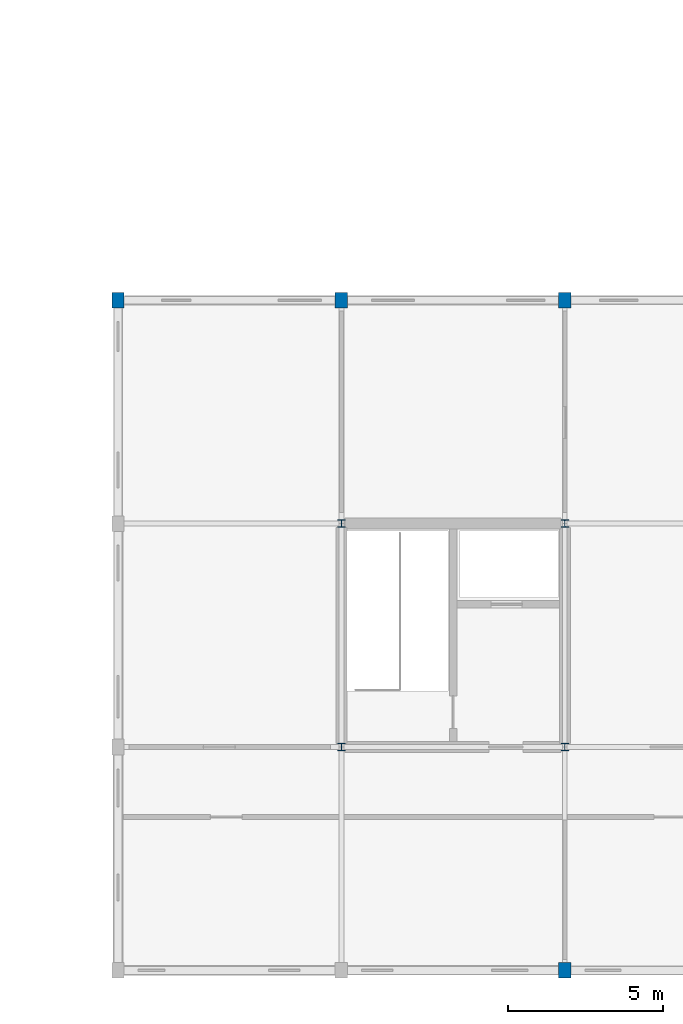
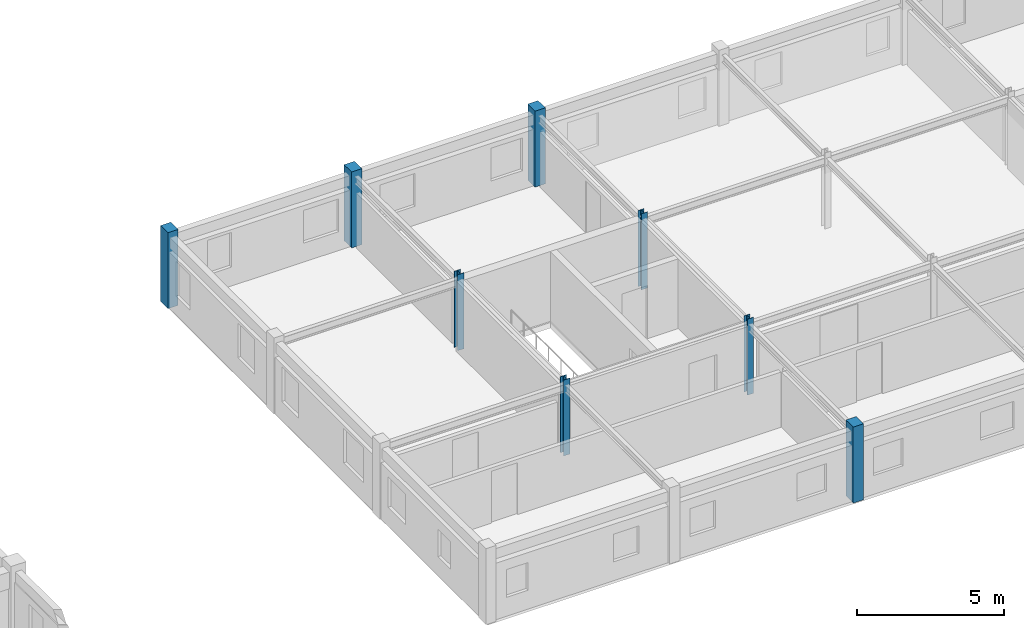
# One storey, part 2 of 50: 8 columns.
"""IFC4 building model written with IfcOpenShell, lengths in metres."""

from ifc_helpers import new_model, si_unit, direction, frame, origin, origin_2d, place, context, subcontext, project, spatial, rectangle, i_section, extrude, material, material_profile, profile_set, type_object, element, save


model = new_model("IFC4")

# Units and contexts
model_context = context("Model", 3, precision=1e-05, world=origin(), true_north=direction((0.0, 1.0)))
body_context = subcontext(model_context, "Body", "Model", "MODEL_VIEW")
ifc_project = project(units=[si_unit("LENGTHUNIT", "METRE"), si_unit("AREAUNIT", "SQUARE_METRE"), si_unit("VOLUMEUNIT", "CUBIC_METRE"), si_unit("PLANEANGLEUNIT", "RADIAN"), si_unit("MASSUNIT", "GRAM", prefix="KILO"), si_unit("THERMODYNAMICTEMPERATUREUNIT", "KELVIN"), si_unit("POWERUNIT", "WATT")], contexts=[model_context])

# Site, building, storey
site_placement = place(None, origin())
site = spatial("IfcSite", under=ifc_project, at=site_placement, CompositionType="ELEMENT")
building_placement = place(site_placement, origin())
building = spatial("IfcBuilding", under=site, at=building_placement, Name="Tavuni Mirador Residences", CompositionType="ELEMENT")
storey_placement = place(building_placement, frame((0.0, 0.0, 4.5)))
storey = spatial("IfcBuildingStorey", under=building, at=storey_placement, Name="L01", CompositionType="ELEMENT", Elevation=4.5)

# Columns
ifc_material_1 = material(Name="Precast concrete C40/50", Category="concrete")
ifc_material_profile_1 = material_profile(ifc_material_1, rectangle(XDim=0.39990234375, YDim=0.5, at=origin_2d()), Name="PC 400x500", Category="concrete")
ifc_profile_set_1 = profile_set([ifc_material_profile_1], Name="Precast concrete C40/50")
column_type_1 = type_object("IfcColumnType", Name="CT-PC400X500", PredefinedType="COLUMN", material=ifc_profile_set_1)
for number, where, z_axis, x_axis, name in (
    (1, (46.800048828125, 28.800048828125, 0.0), (0.0, 0.0, 1.0), (1.0, 0.0, 0.0), "COL-PAV-SHOP-L01-00-03"),
    (2, (54.0, 28.800048828125, 0.0), (0.0, 0.0, 1.0), (1.0, 0.0, 0.0), "COL-PAV-SHOP-L01-01-03"),
    (3, (61.199951171875, 7.199951171875, 0.0), (0.0, 0.0, 1.0), (1.0, 0.0, 0.0), "COL-PAV-SHOP-L01-02-00"),
    (4, (61.199951171875, 28.800048828125, 0.0), (0.0, 0.0, 1.0), (1.0, 0.0, 0.0), "COL-PAV-SHOP-L01-02-03"),
):
    element("IfcColumn", number, at=place(storey_placement, frame(where, z_axis=z_axis, x_axis=x_axis)), inside=storey, type_object=column_type_1, Name=name, PredefinedType="COLUMN", context=body_context, shape_type="SweptSolid", body=[
        extrude(rectangle(XDim=0.39990234375, YDim=0.5, at=origin_2d()), origin(), (0.0, 0.0, 1.0), 3.14990234375),
    ])
ifc_material_2 = material(Name="Structural steel S355", Category="steel")
ifc_material_profile_2 = material_profile(ifc_material_2, i_section(OverallWidth=0.239990234375, OverallDepth=0.239990234375, WebThickness=0.010009765625, FlangeThickness=0.01708984375, FilletRadius=0.02099609375, at=origin_2d()), Name="HEB 240", Category="steel")
ifc_profile_set_2 = profile_set([ifc_material_profile_2], Name="Structural steel S355")
column_type_2 = type_object("IfcColumnType", Name="CT-ST-HEB240", PredefinedType="COLUMN", material=ifc_profile_set_2)
for number, where, z_axis, x_axis, name in (
    (5, (54.0, 14.39990234375, 0.0), (0.0, 0.0, 1.0), (1.0, 0.0, 0.0), "COL-PAV-SHOP-L01-01-01"),
    (6, (54.0, 21.60009765625, 0.0), (0.0, 0.0, 1.0), (1.0, 0.0, 0.0), "COL-PAV-SHOP-L01-01-02"),
    (7, (61.199951171875, 14.39990234375, 0.0), (0.0, 0.0, 1.0), (1.0, 0.0, 0.0), "COL-PAV-SHOP-L01-02-01"),
    (8, (61.199951171875, 21.60009765625, 0.0), (0.0, 0.0, 1.0), (1.0, 0.0, 0.0), "COL-PAV-SHOP-L01-02-02"),
):
    element("IfcColumn", number, at=place(storey_placement, frame(where, z_axis=z_axis, x_axis=x_axis)), inside=storey, type_object=column_type_2, Name=name, PredefinedType="COLUMN", context=body_context, shape_type="SweptSolid", body=[
        extrude(i_section(OverallWidth=0.239990234375, OverallDepth=0.239990234375, WebThickness=0.010009765625, FlangeThickness=0.01708984375, FilletRadius=0.02099609375, at=origin_2d()), origin(), (0.0, 0.0, 1.0), 3.14990234375),
    ])

save(model, "model.ifc")
